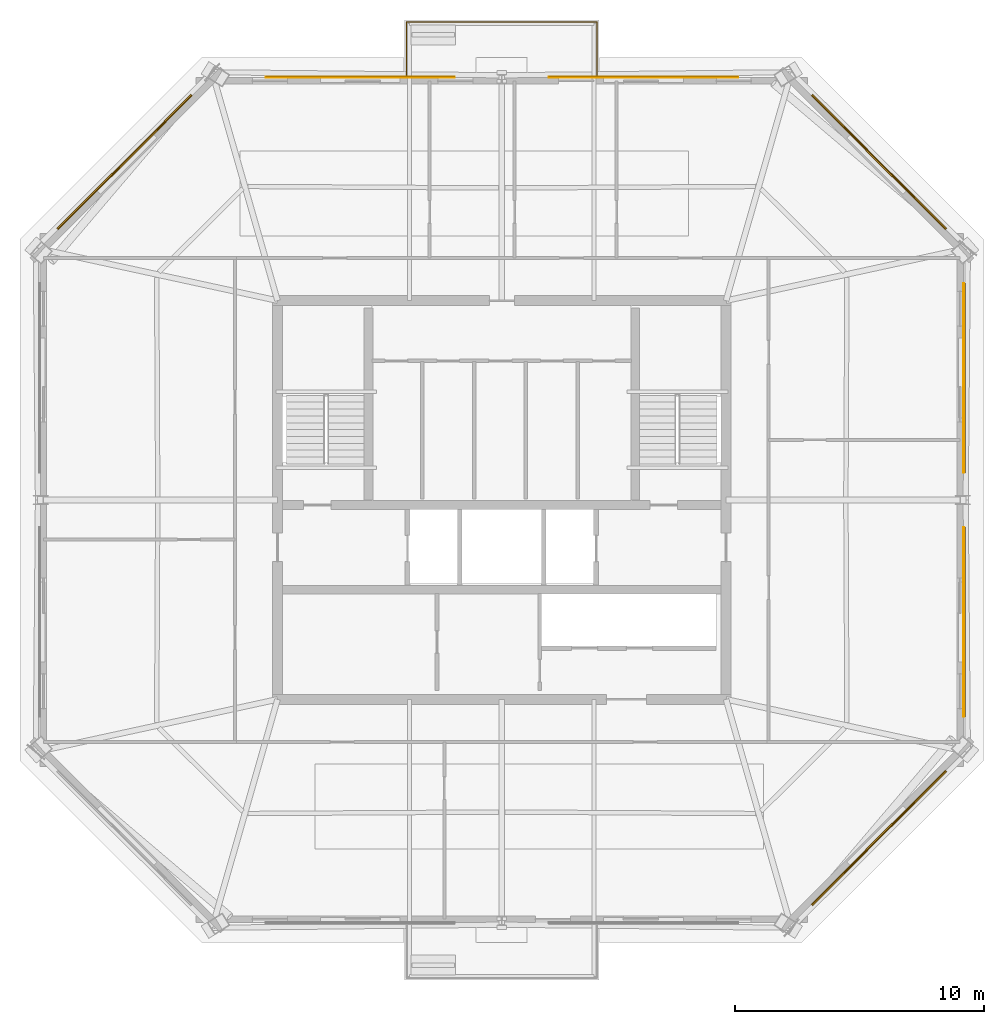
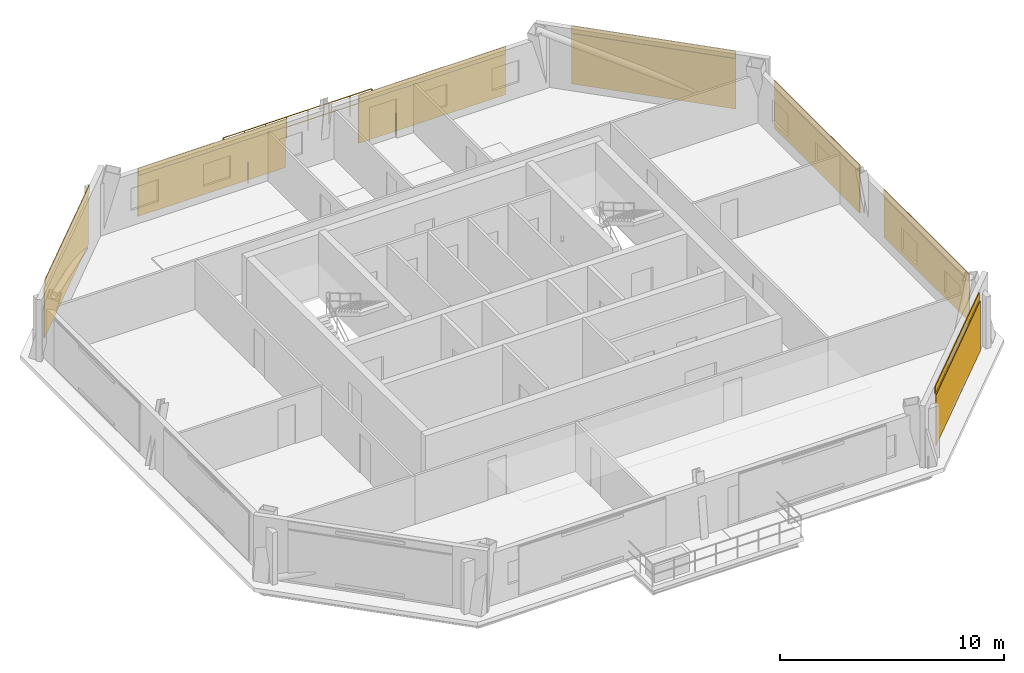
# One storey, part 7 of 7: 7 coverings, 7 shading devices, 1 railing.
"""IFC4 building model written with IfcOpenShell, lengths in metres."""

from ifc_helpers import new_model, si_unit, direction, frame, origin, origin_2d, place, context, subcontext, project, spatial, rectangle, circle, extrude, material, layer, layer_set, type_object, element, save


model = new_model("IFC4")

# Units and contexts
model_context = context("Model", 3, precision=1e-05, world=origin(), true_north=direction((0.0, 1.0)))
body_context = subcontext(model_context, "Body", "Model", "MODEL_VIEW")
ifc_project = project(units=[si_unit("LENGTHUNIT", "METRE"), si_unit("AREAUNIT", "SQUARE_METRE"), si_unit("VOLUMEUNIT", "CUBIC_METRE"), si_unit("PLANEANGLEUNIT", "RADIAN"), si_unit("MASSUNIT", "GRAM", prefix="KILO")], contexts=[model_context])

# Site, building, storey
site_placement = place(None, origin())
site = spatial("IfcSite", under=ifc_project, at=site_placement, CompositionType="ELEMENT")
building_placement = place(site_placement, origin())
building = spatial("IfcBuilding", under=site, at=building_placement, Name="Caelvoria Tower", CompositionType="ELEMENT")
storey_placement = place(building_placement, frame((0.0, 0.0, 257.39990234375)))
storey = spatial("IfcBuildingStorey", under=building, at=storey_placement, Name="L68", CompositionType="ELEMENT", Elevation=257.39990234375)

# Railing
ifc_material_1 = material(Name="Bronze Anodised Aluminium and Stainless Steel", Category="steel")
railing_type = type_object("IfcRailingType", Name="Exterior Terrace and Balcony Guardrail 1150", PredefinedType="GUARDRAIL", material=ifc_material_1)
railing_placement = place(storey_placement, frame((42.179931640625, 48.963623046875, 0.0)))
element("IfcRailing", 1, at=railing_placement, inside=storey, type_object=railing_type, Name="Tree Balcony Guardrail TB-L68-N", PredefinedType="GUARDRAIL", context=body_context, shape_type="SweptSolid", body=[
    extrude(circle(Radius=0.02392578125, at=origin_2d()), frame((0.0, 0.0, 1.1259765625), z_axis=(0.0, 1.0, 0.0), x_axis=(-1.0, 0.0, 0.0)), (0.0, 0.0, 1.0), 2.219970703125),
    extrude(circle(Radius=0.02392578125, at=origin_2d()), frame((0.0, 0.0, 0.574951171875), z_axis=(0.0, 1.0, 0.0), x_axis=(-1.0, 0.0, 0.0)), (0.0, 0.0, 1.0), 2.219970703125),
    extrude(circle(Radius=0.02392578125, at=origin_2d()), frame((0.0, 2.219970703125, 1.1259765625), z_axis=(1.0, 0.0, 0.0), x_axis=(0.0, 1.0, 0.0)), (0.0, 0.0, 1.0), 7.64013671875),
    extrude(circle(Radius=0.02392578125, at=origin_2d()), frame((0.0, 2.219970703125, 0.574951171875), z_axis=(1.0, 0.0, 0.0), x_axis=(0.0, 1.0, 0.0)), (0.0, 0.0, 1.0), 7.64013671875),
    extrude(circle(Radius=0.02392578125, at=origin_2d()), frame((7.64013671875, 2.219970703125, 1.1259765625), z_axis=(0.0, -1.0, 0.0), x_axis=(1.0, 0.0, 0.0)), (0.0, 0.0, 1.0), 2.219970703125),
    extrude(circle(Radius=0.02392578125, at=origin_2d()), frame((7.64013671875, 2.219970703125, 0.574951171875), z_axis=(0.0, -1.0, 0.0), x_axis=(1.0, 0.0, 0.0)), (0.0, 0.0, 1.0), 2.219970703125),
    extrude(circle(Radius=0.02099609375, at=origin_2d()), origin(), (0.0, 0.0, 1.0), 1.101806640625),
    extrude(circle(Radius=0.02099609375, at=origin_2d()), frame((0.0, 1.10986328125, 0.0)), (0.0, 0.0, 1.0), 1.101806640625),
    extrude(circle(Radius=0.02099609375, at=origin_2d()), frame((0.0, 2.219970703125, 0.0)), (0.0, 0.0, 1.0), 1.101806640625),
    extrude(circle(Radius=0.02099609375, at=origin_2d()), frame((1.091552734375, 2.219970703125, 0.0)), (0.0, 0.0, 1.0), 1.101806640625),
    extrude(circle(Radius=0.02099609375, at=origin_2d()), frame((2.182861328125, 2.219970703125, 0.0)), (0.0, 0.0, 1.0), 1.101806640625),
    extrude(circle(Radius=0.02099609375, at=origin_2d()), frame((3.2744140625, 2.219970703125, 0.0)), (0.0, 0.0, 1.0), 1.101806640625),
    extrude(circle(Radius=0.02099609375, at=origin_2d()), frame((4.36572265625, 2.219970703125, 0.0)), (0.0, 0.0, 1.0), 1.101806640625),
    extrude(circle(Radius=0.02099609375, at=origin_2d()), frame((5.457275390625, 2.219970703125, 0.0)), (0.0, 0.0, 1.0), 1.101806640625),
    extrude(circle(Radius=0.02099609375, at=origin_2d()), frame((6.548583984375, 2.219970703125, 0.0)), (0.0, 0.0, 1.0), 1.101806640625),
    extrude(circle(Radius=0.02099609375, at=origin_2d()), frame((7.64013671875, 2.219970703125, 0.0)), (0.0, 0.0, 1.0), 1.101806640625),
    extrude(circle(Radius=0.02099609375, at=origin_2d()), frame((7.64013671875, 1.10986328125, 0.0)), (0.0, 0.0, 1.0), 1.101806640625),
    extrude(circle(Radius=0.02099609375, at=origin_2d()), frame((7.64013671875, 0.0, 0.0)), (0.0, 0.0, 1.0), 1.101806640625),
])

# Coverings
ifc_material_2 = material(Name="Perforated Architectural Bronze Cladding Screen", Category="bronze")
ifc_layer_1 = layer(ifc_material_2, 0.0400390625, Name="Perforated Architectural Bronze Cladding Screen")
ifc_layer_set_1 = layer_set([ifc_layer_1], Name="Perforated Bronze Louvre Cladding Band 40 - Perforated Architectural Bronze Cladding Screen")
covering_type = type_object("IfcCoveringType", Name="Perforated Bronze Louvre Cladding Band 40", PredefinedType="CLADDING", material=ifc_layer_set_1)
for number, where, z_axis, x_axis, name in (
    (2, (61.119384765625, 18.45361328125, 2.955078125), (0.0, 0.0, 1.0), (0.707106781187, 0.707106781187, 0.0), "Perforated Bronze Screen Band L68-E1-00"),
    (3, (64.541015625, 27.102783203125, 2.412109375), (0.0, 0.0, 1.0), (0.0, 1.0, 0.0), "Perforated Bronze Screen Band L68-E2-00"),
    (4, (64.541015625, 36.897216796875, 2.412109375), (0.0, 0.0, 1.0), (0.0, 1.0, 0.0), "Perforated Bronze Screen Band L68-E2-01"),
    (5, (61.119384765625, 45.54638671875, 2.955078125), (0.0, 0.0, 1.0), (-0.707106781187, 0.707106781187, 0.0), "Perforated Bronze Screen Band L68-E3-00"),
    (6, (51.68359375, 48.968017578125, 2.412109375), (0.0, 0.0, 1.0), (-1.0, 0.0, 0.0), "Perforated Bronze Screen Band L68-E4-00"),
    (7, (40.31640625, 48.968017578125, 2.412109375), (0.0, 0.0, 1.0), (-1.0, 0.0, 0.0), "Perforated Bronze Screen Band L68-E4-01"),
    (8, (30.880615234375, 45.54638671875, 2.955078125), (0.0, 0.0, 1.0), (-0.707106781187, -0.707106781187, 0.0), "Perforated Bronze Screen Band L68-E5-00"),
):
    element("IfcCovering", number, at=place(storey_placement, frame(where, z_axis=z_axis, x_axis=x_axis)), inside=storey, type_object=covering_type, Name=name, PredefinedType="CLADDING", context=body_context, shape_type="SweptSolid", body=[
        extrude(rectangle(XDim=7.60009765625, YDim=0.0400390625, at=origin_2d()), origin(), (0.0, 0.0, 1.0), 0.39990234375),
    ])

# Shading devices
ifc_material_3 = material(Name="Perforated Architectural Bronze Alloy Panel", Category="bronze")
ifc_layer_2 = layer(ifc_material_3, 0.044921875, Name="Perforated Architectural Bronze Alloy Panel")
ifc_layer_set_2 = layer_set([ifc_layer_2], Name="Perforated Bronze Solar Screen Panel SCREEN - Perforated Architectural Bronze Alloy Panel")
shading_device_type = type_object("IfcShadingDeviceType", Name="Perforated Bronze Solar Screen Panel SCREEN", PredefinedType="USERDEFINED", material=ifc_layer_set_2)
shading_device_1_placement = place(storey_placement, frame((61.149658203125, 18.423095703125, 0.16015625), z_axis=(0.0, 0.0, 1.0), x_axis=(0.707106781187, 0.707106781187, 0.0)))
element("IfcShadingDevice", 9, at=shading_device_1_placement, inside=storey, type_object=shading_device_type, Name="Perforated Bronze Solar Screen L68-E1-00", ObjectType="SCREEN", PredefinedType="USERDEFINED", context=body_context, shape_type="SweptSolid", body=[
    extrude(rectangle(XDim=7.60009765625, YDim=0.044921875, at=origin_2d()), origin(), (0.0, 0.0, 1.0), 2.75),
])
for number, where, z_axis, x_axis, name in (
    (10, (64.583984375, 27.102783203125, 0.16015625), (0.0, 0.0, 1.0), (0.0, 1.0, 0.0), "Perforated Bronze Solar Screen L68-E2-00"),
    (11, (64.583984375, 36.897216796875, 0.16015625), (0.0, 0.0, 1.0), (0.0, 1.0, 0.0), "Perforated Bronze Solar Screen L68-E2-01"),
):
    element("IfcShadingDevice", number, at=place(storey_placement, frame(where, z_axis=z_axis, x_axis=x_axis)), inside=storey, type_object=shading_device_type, Name=name, ObjectType="SCREEN", PredefinedType="USERDEFINED", context=body_context, shape_type="SweptSolid", body=[
        extrude(rectangle(XDim=7.60009765625, YDim=0.044921875, at=origin_2d()), origin(), (0.0, 0.0, 1.0), 2.592041015625),
    ])
shading_device_2_placement = place(storey_placement, frame((61.149658203125, 45.576904296875, 0.16015625), z_axis=(0.0, 0.0, 1.0), x_axis=(-0.707106781187, 0.707106781187, 0.0)))
element("IfcShadingDevice", 12, at=shading_device_2_placement, inside=storey, type_object=shading_device_type, Name="Perforated Bronze Solar Screen L68-E3-00", ObjectType="SCREEN", PredefinedType="USERDEFINED", context=body_context, shape_type="SweptSolid", body=[
    extrude(rectangle(XDim=7.60009765625, YDim=0.044921875, at=origin_2d()), origin(), (0.0, 0.0, 1.0), 2.75),
])
for number, where, z_axis, x_axis, name in (
    (13, (51.68359375, 49.010986328125, 0.16015625), (0.0, 0.0, 1.0), (-1.0, 0.0, 0.0), "Perforated Bronze Solar Screen L68-E4-00"),
    (14, (40.31640625, 49.010986328125, 0.16015625), (0.0, 0.0, 1.0), (-1.0, 0.0, 0.0), "Perforated Bronze Solar Screen L68-E4-01"),
):
    element("IfcShadingDevice", number, at=place(storey_placement, frame(where, z_axis=z_axis, x_axis=x_axis)), inside=storey, type_object=shading_device_type, Name=name, ObjectType="SCREEN", PredefinedType="USERDEFINED", context=body_context, shape_type="SweptSolid", body=[
        extrude(rectangle(XDim=7.60009765625, YDim=0.044921875, at=origin_2d()), origin(), (0.0, 0.0, 1.0), 2.592041015625),
    ])
shading_device_3_placement = place(storey_placement, frame((30.850341796875, 45.576904296875, 0.16015625), z_axis=(0.0, 0.0, 1.0), x_axis=(-0.707106781187, -0.707106781187, 0.0)))
element("IfcShadingDevice", 15, at=shading_device_3_placement, inside=storey, type_object=shading_device_type, Name="Perforated Bronze Solar Screen L68-E5-00", ObjectType="SCREEN", PredefinedType="USERDEFINED", context=body_context, shape_type="SweptSolid", body=[
    extrude(rectangle(XDim=7.60009765625, YDim=0.044921875, at=origin_2d()), origin(), (0.0, 0.0, 1.0), 2.75),
])

save(model, "model.ifc")
